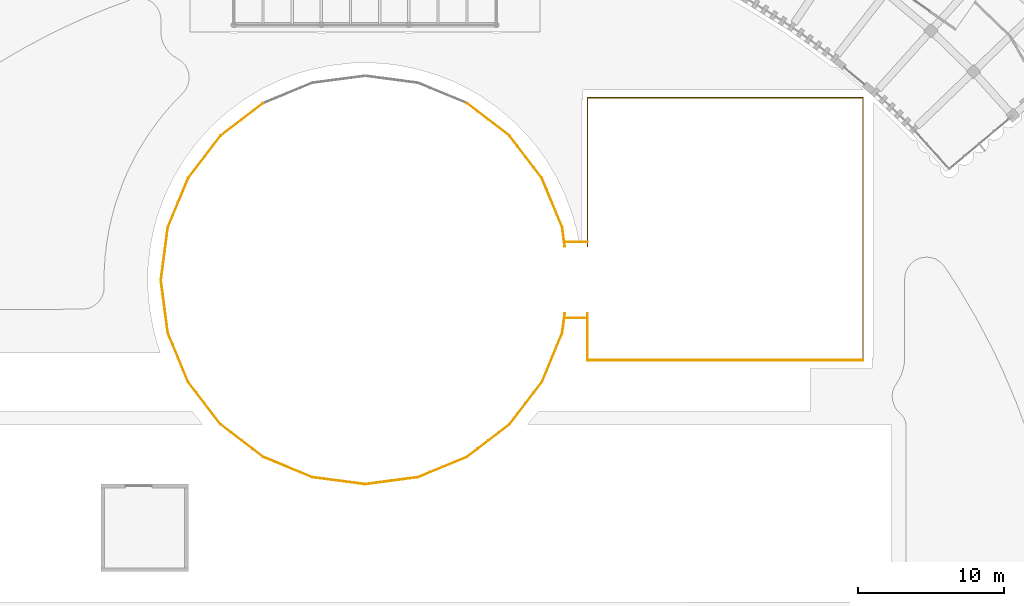
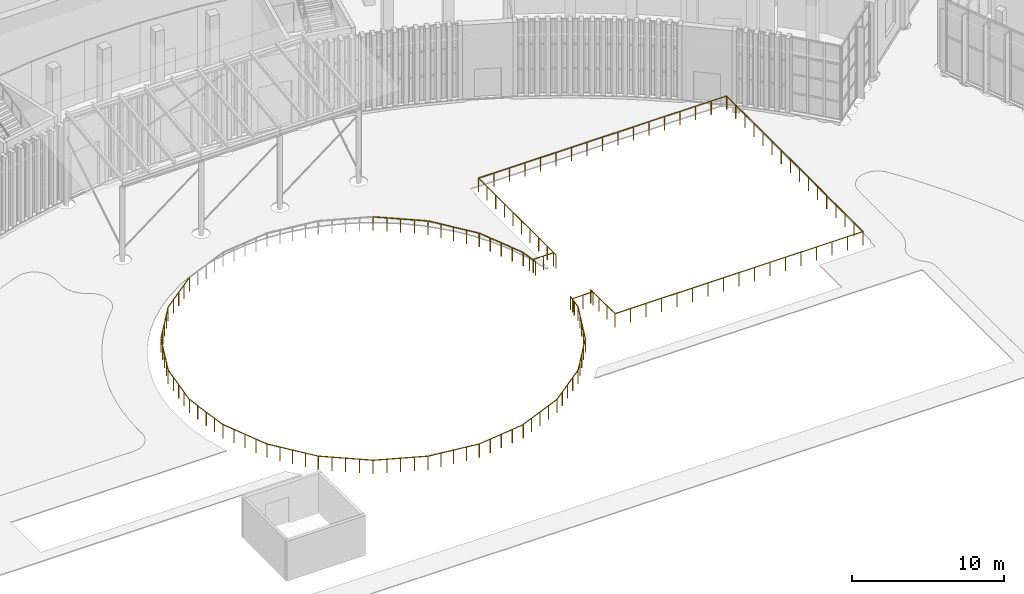
# One storey, part 121 of 155: 24 railings.
"""IFC4 building model written with IfcOpenShell, lengths in metres."""

from ifc_helpers import new_model, si_unit, direction, frame, origin, origin_2d, place, context, subcontext, project, spatial, circle, extrude, material, type_object, element, save


model = new_model("IFC4")

# Units and contexts
model_context = context("Model", 3, precision=1e-05, world=origin(), true_north=direction((0.0, 1.0)))
body_context = subcontext(model_context, "Body", "Model", "MODEL_VIEW")
ifc_project = project(units=[si_unit("LENGTHUNIT", "METRE"), si_unit("AREAUNIT", "SQUARE_METRE"), si_unit("VOLUMEUNIT", "CUBIC_METRE"), si_unit("PLANEANGLEUNIT", "RADIAN"), si_unit("MASSUNIT", "GRAM", prefix="KILO")], contexts=[model_context])

# Site, building, storey
site_placement = place(None, origin())
site = spatial("IfcSite", under=ifc_project, at=site_placement, CompositionType="ELEMENT")
building_placement = place(site_placement, origin())
building = spatial("IfcBuilding", under=site, at=building_placement, Name="Lunette Opera House", CompositionType="ELEMENT")
storey_placement = place(building_placement, origin())
storey = spatial("IfcBuildingStorey", under=building, at=storey_placement, Name="L00", CompositionType="ELEMENT", Elevation=0.0)

# Railings
ifc_material = material(Name="Stainless steel", Category="steel")
railing_type = type_object("IfcRailingType", Name="FORECOURT GUARD 1100", PredefinedType="GUARDRAIL", material=ifc_material)
railing_1_placement = place(storey_placement, frame((103.0, 38.1240234375, 0.0)))
element("IfcRailing", 1, at=railing_1_placement, inside=storey, type_object=railing_type, Name="Forecourt guard CW03", PredefinedType="GUARDRAIL", context=body_context, shape_type="SweptSolid", body=[
    extrude(circle(Radius=0.02392578125, at=origin_2d()), frame((0.0, 0.0, 1.076171875), z_axis=(0.793264300938, -0.608877449785, 0.0), x_axis=(0.608877449785, 0.793264300938, 0.0)), (0.0, 0.0, 1.0), 3.654541015625),
    extrude(circle(Radius=0.02099609375, at=origin_2d()), origin(), (0.0, 0.0, 1.0), 1.052001953125),
    extrude(circle(Radius=0.02099609375, at=origin_2d()), frame((0.724609375, -0.55615234375, 0.0)), (0.0, 0.0, 1.0), 1.052001953125),
    extrude(circle(Radius=0.02099609375, at=origin_2d()), frame((1.449462890625, -1.112548828125, 0.0)), (0.0, 0.0, 1.0), 1.052001953125),
    extrude(circle(Radius=0.02099609375, at=origin_2d()), frame((2.17431640625, -1.6689453125, 0.0)), (0.0, 0.0, 1.0), 1.052001953125),
    extrude(circle(Radius=0.02099609375, at=origin_2d()), frame((2.89892578125, -2.22509765625, 0.0)), (0.0, 0.0, 1.0), 1.052001953125),
])
railing_2_placement = place(storey_placement, frame((105.89892578125, 35.89892578125, 0.0)))
element("IfcRailing", 2, at=railing_2_placement, inside=storey, type_object=railing_type, Name="Forecourt guard CW04", PredefinedType="GUARDRAIL", context=body_context, shape_type="SweptSolid", body=[
    extrude(circle(Radius=0.02392578125, at=origin_2d()), frame((0.0, 0.0, 1.076171875), z_axis=(0.608877449785, -0.793264300938, 0.0), x_axis=(0.793264300938, 0.608877449785, 0.0)), (0.0, 0.0, 1.0), 3.654541015625),
    extrude(circle(Radius=0.02099609375, at=origin_2d()), origin(), (0.0, 0.0, 1.0), 1.052001953125),
    extrude(circle(Radius=0.02099609375, at=origin_2d()), frame((0.55615234375, -0.724609375, 0.0)), (0.0, 0.0, 1.0), 1.052001953125),
    extrude(circle(Radius=0.02099609375, at=origin_2d()), frame((1.112548828125, -1.449462890625, 0.0)), (0.0, 0.0, 1.0), 1.052001953125),
    extrude(circle(Radius=0.02099609375, at=origin_2d()), frame((1.6689453125, -2.17431640625, 0.0)), (0.0, 0.0, 1.0), 1.052001953125),
    extrude(circle(Radius=0.02099609375, at=origin_2d()), frame((2.22509765625, -2.89892578125, 0.0)), (0.0, 0.0, 1.0), 1.052001953125),
])
railing_3_placement = place(storey_placement, frame((108.1240234375, 33.0, 0.0)))
element("IfcRailing", 3, at=railing_3_placement, inside=storey, type_object=railing_type, Name="Forecourt guard CW05", PredefinedType="GUARDRAIL", context=body_context, shape_type="SweptSolid", body=[
    extrude(circle(Radius=0.02392578125, at=origin_2d()), frame((0.0, 0.0, 1.076171875), z_axis=(0.382717524649, -0.923865410288, 0.0), x_axis=(0.923865410288, 0.382717524649, 0.0)), (0.0, 0.0, 1.0), 3.6552734375),
    extrude(circle(Radius=0.02099609375, at=origin_2d()), origin(), (0.0, 0.0, 1.0), 1.052001953125),
    extrude(circle(Radius=0.02099609375, at=origin_2d()), frame((0.349609375, -0.84423828125, 0.0)), (0.0, 0.0, 1.0), 1.052001953125),
    extrude(circle(Radius=0.02099609375, at=origin_2d()), frame((0.699462890625, -1.6884765625, 0.0)), (0.0, 0.0, 1.0), 1.052001953125),
    extrude(circle(Radius=0.02099609375, at=origin_2d()), frame((1.04931640625, -2.53271484375, 0.0)), (0.0, 0.0, 1.0), 1.052001953125),
    extrude(circle(Radius=0.02099609375, at=origin_2d()), frame((1.39892578125, -3.376953125, 0.0)), (0.0, 0.0, 1.0), 1.052001953125),
])
railing_4_placement = place(storey_placement, frame((109.52294921875, 29.623046875, 0.0)))
element("IfcRailing", 4, at=railing_4_placement, inside=storey, type_object=railing_type, Name="Forecourt guard CW06", PredefinedType="GUARDRAIL", context=body_context, shape_type="SweptSolid", body=[
    extrude(circle(Radius=0.02392578125, at=origin_2d()), frame((0.0, 0.0, 1.076171875), z_axis=(0.130449779797, -0.991454918264, 0.0), x_axis=(0.991454918264, 0.130449779797, 0.0)), (0.0, 0.0, 1.0), 1.33447265625),
    extrude(circle(Radius=0.02099609375, at=origin_2d()), origin(), (0.0, 0.0, 1.0), 1.052001953125),
    extrude(circle(Radius=0.02099609375, at=origin_2d()), frame((0.0869140625, -0.66162109375, 0.0)), (0.0, 0.0, 1.0), 1.052001953125),
    extrude(circle(Radius=0.02099609375, at=origin_2d()), frame((0.174072265625, -1.322998046875, 0.0)), (0.0, 0.0, 1.0), 1.052001953125),
])
railing_5_placement = place(storey_placement, frame((109.697021484375, 23.699951171875, 0.0)))
element("IfcRailing", 5, at=railing_5_placement, inside=storey, type_object=railing_type, Name="Forecourt guard CW07", PredefinedType="GUARDRAIL", context=body_context, shape_type="SweptSolid", body=[
    extrude(circle(Radius=0.02392578125, at=origin_2d()), frame((0.0, 0.0, 1.076171875), z_axis=(-0.130449779797, -0.991454918264, 0.0), x_axis=(0.991454918264, -0.130449779797, 0.0)), (0.0, 0.0, 1.0), 1.33447265625),
    extrude(circle(Radius=0.02099609375, at=origin_2d()), origin(), (0.0, 0.0, 1.0), 1.052001953125),
    extrude(circle(Radius=0.02099609375, at=origin_2d()), frame((-0.0869140625, -0.66162109375, 0.0)), (0.0, 0.0, 1.0), 1.052001953125),
    extrude(circle(Radius=0.02099609375, at=origin_2d()), frame((-0.174072265625, -1.322998046875, 0.0)), (0.0, 0.0, 1.0), 1.052001953125),
])
railing_6_placement = place(storey_placement, frame((109.52294921875, 22.376953125, 0.0)))
element("IfcRailing", 6, at=railing_6_placement, inside=storey, type_object=railing_type, Name="Forecourt guard CW08", PredefinedType="GUARDRAIL", context=body_context, shape_type="SweptSolid", body=[
    extrude(circle(Radius=0.02392578125, at=origin_2d()), frame((0.0, 0.0, 1.076171875), z_axis=(-0.382717524649, -0.923865410288, 0.0), x_axis=(0.923865410288, -0.382717524649, 0.0)), (0.0, 0.0, 1.0), 3.6552734375),
    extrude(circle(Radius=0.02099609375, at=origin_2d()), origin(), (0.0, 0.0, 1.0), 1.052001953125),
    extrude(circle(Radius=0.02099609375, at=origin_2d()), frame((-0.349609375, -0.84423828125, 0.0)), (0.0, 0.0, 1.0), 1.052001953125),
    extrude(circle(Radius=0.02099609375, at=origin_2d()), frame((-0.699462890625, -1.6884765625, 0.0)), (0.0, 0.0, 1.0), 1.052001953125),
    extrude(circle(Radius=0.02099609375, at=origin_2d()), frame((-1.04931640625, -2.53271484375, 0.0)), (0.0, 0.0, 1.0), 1.052001953125),
    extrude(circle(Radius=0.02099609375, at=origin_2d()), frame((-1.39892578125, -3.376953125, 0.0)), (0.0, 0.0, 1.0), 1.052001953125),
])
railing_7_placement = place(storey_placement, frame((108.1240234375, 19.0, 0.0)))
element("IfcRailing", 7, at=railing_7_placement, inside=storey, type_object=railing_type, Name="Forecourt guard CW09", PredefinedType="GUARDRAIL", context=body_context, shape_type="SweptSolid", body=[
    extrude(circle(Radius=0.02392578125, at=origin_2d()), frame((0.0, 0.0, 1.076171875), z_axis=(-0.608877449785, -0.793264300938, 0.0), x_axis=(0.793264300938, -0.608877449785, 0.0)), (0.0, 0.0, 1.0), 3.654541015625),
    extrude(circle(Radius=0.02099609375, at=origin_2d()), origin(), (0.0, 0.0, 1.0), 1.052001953125),
    extrude(circle(Radius=0.02099609375, at=origin_2d()), frame((-0.55615234375, -0.724609375, 0.0)), (0.0, 0.0, 1.0), 1.052001953125),
    extrude(circle(Radius=0.02099609375, at=origin_2d()), frame((-1.112548828125, -1.449462890625, 0.0)), (0.0, 0.0, 1.0), 1.052001953125),
    extrude(circle(Radius=0.02099609375, at=origin_2d()), frame((-1.6689453125, -2.17431640625, 0.0)), (0.0, 0.0, 1.0), 1.052001953125),
    extrude(circle(Radius=0.02099609375, at=origin_2d()), frame((-2.22509765625, -2.89892578125, 0.0)), (0.0, 0.0, 1.0), 1.052001953125),
])
railing_8_placement = place(storey_placement, frame((105.89892578125, 16.10107421875, 0.0)))
element("IfcRailing", 8, at=railing_8_placement, inside=storey, type_object=railing_type, Name="Forecourt guard CW10", PredefinedType="GUARDRAIL", context=body_context, shape_type="SweptSolid", body=[
    extrude(circle(Radius=0.02392578125, at=origin_2d()), frame((0.0, 0.0, 1.076171875), z_axis=(-0.793264300938, -0.608877449785, 0.0), x_axis=(0.608877449785, -0.793264300938, 0.0)), (0.0, 0.0, 1.0), 3.654541015625),
    extrude(circle(Radius=0.02099609375, at=origin_2d()), origin(), (0.0, 0.0, 1.0), 1.052001953125),
    extrude(circle(Radius=0.02099609375, at=origin_2d()), frame((-0.724609375, -0.55615234375, 0.0)), (0.0, 0.0, 1.0), 1.052001953125),
    extrude(circle(Radius=0.02099609375, at=origin_2d()), frame((-1.449462890625, -1.112548828125, 0.0)), (0.0, 0.0, 1.0), 1.052001953125),
    extrude(circle(Radius=0.02099609375, at=origin_2d()), frame((-2.17431640625, -1.6689453125, 0.0)), (0.0, 0.0, 1.0), 1.052001953125),
    extrude(circle(Radius=0.02099609375, at=origin_2d()), frame((-2.89892578125, -2.22509765625, 0.0)), (0.0, 0.0, 1.0), 1.052001953125),
])
railing_9_placement = place(storey_placement, frame((103.0, 13.8759765625, 0.0)))
element("IfcRailing", 9, at=railing_9_placement, inside=storey, type_object=railing_type, Name="Forecourt guard CW11", PredefinedType="GUARDRAIL", context=body_context, shape_type="SweptSolid", body=[
    extrude(circle(Radius=0.02392578125, at=origin_2d()), frame((0.0, 0.0, 1.076171875), z_axis=(-0.923865410288, -0.382717524649, 0.0), x_axis=(0.382717524649, -0.923865410288, 0.0)), (0.0, 0.0, 1.0), 3.6552734375),
    extrude(circle(Radius=0.02099609375, at=origin_2d()), origin(), (0.0, 0.0, 1.0), 1.052001953125),
    extrude(circle(Radius=0.02099609375, at=origin_2d()), frame((-0.84423828125, -0.349609375, 0.0)), (0.0, 0.0, 1.0), 1.052001953125),
    extrude(circle(Radius=0.02099609375, at=origin_2d()), frame((-1.6884765625, -0.699462890625, 0.0)), (0.0, 0.0, 1.0), 1.052001953125),
    extrude(circle(Radius=0.02099609375, at=origin_2d()), frame((-2.53271484375, -1.04931640625, 0.0)), (0.0, 0.0, 1.0), 1.052001953125),
    extrude(circle(Radius=0.02099609375, at=origin_2d()), frame((-3.376953125, -1.39892578125, 0.0)), (0.0, 0.0, 1.0), 1.052001953125),
])
railing_10_placement = place(storey_placement, frame((99.623046875, 12.47705078125, 0.0)))
element("IfcRailing", 10, at=railing_10_placement, inside=storey, type_object=railing_type, Name="Forecourt guard CW12", PredefinedType="GUARDRAIL", context=body_context, shape_type="SweptSolid", body=[
    extrude(circle(Radius=0.02392578125, at=origin_2d()), frame((0.0, 0.0, 1.076171875), z_axis=(-0.991442466905, -0.130544378729, 0.0), x_axis=(0.130544378729, -0.991442466905, 0.0)), (0.0, 0.0, 1.0), 3.654296875),
    extrude(circle(Radius=0.02099609375, at=origin_2d()), origin(), (0.0, 0.0, 1.0), 1.052001953125),
    extrude(circle(Radius=0.02099609375, at=origin_2d()), frame((-0.90576171875, -0.119140625, 0.0)), (0.0, 0.0, 1.0), 1.052001953125),
    extrude(circle(Radius=0.02099609375, at=origin_2d()), frame((-1.8115234375, -0.238525390625, 0.0)), (0.0, 0.0, 1.0), 1.052001953125),
    extrude(circle(Radius=0.02099609375, at=origin_2d()), frame((-2.71728515625, -0.35791015625, 0.0)), (0.0, 0.0, 1.0), 1.052001953125),
    extrude(circle(Radius=0.02099609375, at=origin_2d()), frame((-3.623046875, -0.47705078125, 0.0)), (0.0, 0.0, 1.0), 1.052001953125),
])
railing_11_placement = place(storey_placement, frame((96.0, 12.0, 0.0)))
element("IfcRailing", 11, at=railing_11_placement, inside=storey, type_object=railing_type, Name="Forecourt guard CW13", PredefinedType="GUARDRAIL", context=body_context, shape_type="SweptSolid", body=[
    extrude(circle(Radius=0.02392578125, at=origin_2d()), frame((0.0, 0.0, 1.076171875), z_axis=(-0.991442466905, 0.130544378729, 0.0), x_axis=(-0.130544378729, -0.991442466905, 0.0)), (0.0, 0.0, 1.0), 3.654296875),
    extrude(circle(Radius=0.02099609375, at=origin_2d()), origin(), (0.0, 0.0, 1.0), 1.052001953125),
    extrude(circle(Radius=0.02099609375, at=origin_2d()), frame((-0.90576171875, 0.119140625, 0.0)), (0.0, 0.0, 1.0), 1.052001953125),
    extrude(circle(Radius=0.02099609375, at=origin_2d()), frame((-1.8115234375, 0.238525390625, 0.0)), (0.0, 0.0, 1.0), 1.052001953125),
    extrude(circle(Radius=0.02099609375, at=origin_2d()), frame((-2.71728515625, 0.35791015625, 0.0)), (0.0, 0.0, 1.0), 1.052001953125),
    extrude(circle(Radius=0.02099609375, at=origin_2d()), frame((-3.623046875, 0.47705078125, 0.0)), (0.0, 0.0, 1.0), 1.052001953125),
])
railing_12_placement = place(storey_placement, frame((92.376953125, 12.47705078125, 0.0)))
element("IfcRailing", 12, at=railing_12_placement, inside=storey, type_object=railing_type, Name="Forecourt guard CW14", PredefinedType="GUARDRAIL", context=body_context, shape_type="SweptSolid", body=[
    extrude(circle(Radius=0.02392578125, at=origin_2d()), frame((0.0, 0.0, 1.076171875), z_axis=(-0.923865410288, 0.382717524649, 0.0), x_axis=(-0.382717524649, -0.923865410288, 0.0)), (0.0, 0.0, 1.0), 3.6552734375),
    extrude(circle(Radius=0.02099609375, at=origin_2d()), origin(), (0.0, 0.0, 1.0), 1.052001953125),
    extrude(circle(Radius=0.02099609375, at=origin_2d()), frame((-0.84423828125, 0.349609375, 0.0)), (0.0, 0.0, 1.0), 1.052001953125),
    extrude(circle(Radius=0.02099609375, at=origin_2d()), frame((-1.6884765625, 0.699462890625, 0.0)), (0.0, 0.0, 1.0), 1.052001953125),
    extrude(circle(Radius=0.02099609375, at=origin_2d()), frame((-2.53271484375, 1.04931640625, 0.0)), (0.0, 0.0, 1.0), 1.052001953125),
    extrude(circle(Radius=0.02099609375, at=origin_2d()), frame((-3.376953125, 1.39892578125, 0.0)), (0.0, 0.0, 1.0), 1.052001953125),
])
railing_13_placement = place(storey_placement, frame((89.0, 13.8759765625, 0.0)))
element("IfcRailing", 13, at=railing_13_placement, inside=storey, type_object=railing_type, Name="Forecourt guard CW15", PredefinedType="GUARDRAIL", context=body_context, shape_type="SweptSolid", body=[
    extrude(circle(Radius=0.02392578125, at=origin_2d()), frame((0.0, 0.0, 1.076171875), z_axis=(-0.793264300938, 0.608877449785, 0.0), x_axis=(-0.608877449785, -0.793264300938, 0.0)), (0.0, 0.0, 1.0), 3.654541015625),
    extrude(circle(Radius=0.02099609375, at=origin_2d()), origin(), (0.0, 0.0, 1.0), 1.052001953125),
    extrude(circle(Radius=0.02099609375, at=origin_2d()), frame((-0.724609375, 0.55615234375, 0.0)), (0.0, 0.0, 1.0), 1.052001953125),
    extrude(circle(Radius=0.02099609375, at=origin_2d()), frame((-1.449462890625, 1.112548828125, 0.0)), (0.0, 0.0, 1.0), 1.052001953125),
    extrude(circle(Radius=0.02099609375, at=origin_2d()), frame((-2.17431640625, 1.6689453125, 0.0)), (0.0, 0.0, 1.0), 1.052001953125),
    extrude(circle(Radius=0.02099609375, at=origin_2d()), frame((-2.89892578125, 2.22509765625, 0.0)), (0.0, 0.0, 1.0), 1.052001953125),
])
railing_14_placement = place(storey_placement, frame((86.10107421875, 16.10107421875, 0.0)))
element("IfcRailing", 14, at=railing_14_placement, inside=storey, type_object=railing_type, Name="Forecourt guard CW16", PredefinedType="GUARDRAIL", context=body_context, shape_type="SweptSolid", body=[
    extrude(circle(Radius=0.02392578125, at=origin_2d()), frame((0.0, 0.0, 1.076171875), z_axis=(-0.608877449785, 0.793264300938, 0.0), x_axis=(-0.793264300938, -0.608877449785, 0.0)), (0.0, 0.0, 1.0), 3.654541015625),
    extrude(circle(Radius=0.02099609375, at=origin_2d()), origin(), (0.0, 0.0, 1.0), 1.052001953125),
    extrude(circle(Radius=0.02099609375, at=origin_2d()), frame((-0.55615234375, 0.724609375, 0.0)), (0.0, 0.0, 1.0), 1.052001953125),
    extrude(circle(Radius=0.02099609375, at=origin_2d()), frame((-1.112548828125, 1.449462890625, 0.0)), (0.0, 0.0, 1.0), 1.052001953125),
    extrude(circle(Radius=0.02099609375, at=origin_2d()), frame((-1.6689453125, 2.17431640625, 0.0)), (0.0, 0.0, 1.0), 1.052001953125),
    extrude(circle(Radius=0.02099609375, at=origin_2d()), frame((-2.22509765625, 2.89892578125, 0.0)), (0.0, 0.0, 1.0), 1.052001953125),
])
railing_15_placement = place(storey_placement, frame((83.8759765625, 19.0, 0.0)))
element("IfcRailing", 15, at=railing_15_placement, inside=storey, type_object=railing_type, Name="Forecourt guard CW17", PredefinedType="GUARDRAIL", context=body_context, shape_type="SweptSolid", body=[
    extrude(circle(Radius=0.02392578125, at=origin_2d()), frame((0.0, 0.0, 1.076171875), z_axis=(-0.382717524649, 0.923865410288, 0.0), x_axis=(-0.923865410288, -0.382717524649, 0.0)), (0.0, 0.0, 1.0), 3.6552734375),
    extrude(circle(Radius=0.02099609375, at=origin_2d()), origin(), (0.0, 0.0, 1.0), 1.052001953125),
    extrude(circle(Radius=0.02099609375, at=origin_2d()), frame((-0.349609375, 0.84423828125, 0.0)), (0.0, 0.0, 1.0), 1.052001953125),
    extrude(circle(Radius=0.02099609375, at=origin_2d()), frame((-0.699462890625, 1.6884765625, 0.0)), (0.0, 0.0, 1.0), 1.052001953125),
    extrude(circle(Radius=0.02099609375, at=origin_2d()), frame((-1.04931640625, 2.53271484375, 0.0)), (0.0, 0.0, 1.0), 1.052001953125),
    extrude(circle(Radius=0.02099609375, at=origin_2d()), frame((-1.39892578125, 3.376953125, 0.0)), (0.0, 0.0, 1.0), 1.052001953125),
])
railing_16_placement = place(storey_placement, frame((82.47705078125, 22.376953125, 0.0)))
element("IfcRailing", 16, at=railing_16_placement, inside=storey, type_object=railing_type, Name="Forecourt guard CW18", PredefinedType="GUARDRAIL", context=body_context, shape_type="SweptSolid", body=[
    extrude(circle(Radius=0.02392578125, at=origin_2d()), frame((0.0, 0.0, 1.076171875), z_axis=(-0.130544378729, 0.991442466905, 0.0), x_axis=(-0.991442466905, -0.130544378729, 0.0)), (0.0, 0.0, 1.0), 3.654296875),
    extrude(circle(Radius=0.02099609375, at=origin_2d()), origin(), (0.0, 0.0, 1.0), 1.052001953125),
    extrude(circle(Radius=0.02099609375, at=origin_2d()), frame((-0.119140625, 0.90576171875, 0.0)), (0.0, 0.0, 1.0), 1.052001953125),
    extrude(circle(Radius=0.02099609375, at=origin_2d()), frame((-0.238525390625, 1.8115234375, 0.0)), (0.0, 0.0, 1.0), 1.052001953125),
    extrude(circle(Radius=0.02099609375, at=origin_2d()), frame((-0.35791015625, 2.71728515625, 0.0)), (0.0, 0.0, 1.0), 1.052001953125),
    extrude(circle(Radius=0.02099609375, at=origin_2d()), frame((-0.47705078125, 3.623046875, 0.0)), (0.0, 0.0, 1.0), 1.052001953125),
])
railing_17_placement = place(storey_placement, frame((82.0, 26.0, 0.0)))
element("IfcRailing", 17, at=railing_17_placement, inside=storey, type_object=railing_type, Name="Forecourt guard CW19", PredefinedType="GUARDRAIL", context=body_context, shape_type="SweptSolid", body=[
    extrude(circle(Radius=0.02392578125, at=origin_2d()), frame((0.0, 0.0, 1.076171875), z_axis=(0.130544378729, 0.991442466905, 0.0), x_axis=(-0.991442466905, 0.130544378729, 0.0)), (0.0, 0.0, 1.0), 3.654296875),
    extrude(circle(Radius=0.02099609375, at=origin_2d()), origin(), (0.0, 0.0, 1.0), 1.052001953125),
    extrude(circle(Radius=0.02099609375, at=origin_2d()), frame((0.119140625, 0.90576171875, 0.0)), (0.0, 0.0, 1.0), 1.052001953125),
    extrude(circle(Radius=0.02099609375, at=origin_2d()), frame((0.238525390625, 1.8115234375, 0.0)), (0.0, 0.0, 1.0), 1.052001953125),
    extrude(circle(Radius=0.02099609375, at=origin_2d()), frame((0.35791015625, 2.71728515625, 0.0)), (0.0, 0.0, 1.0), 1.052001953125),
    extrude(circle(Radius=0.02099609375, at=origin_2d()), frame((0.47705078125, 3.623046875, 0.0)), (0.0, 0.0, 1.0), 1.052001953125),
])
railing_18_placement = place(storey_placement, frame((82.47705078125, 29.623046875, 0.0)))
element("IfcRailing", 18, at=railing_18_placement, inside=storey, type_object=railing_type, Name="Forecourt guard CW20", PredefinedType="GUARDRAIL", context=body_context, shape_type="SweptSolid", body=[
    extrude(circle(Radius=0.02392578125, at=origin_2d()), frame((0.0, 0.0, 1.076171875), z_axis=(0.382717524649, 0.923865410288, 0.0), x_axis=(-0.923865410288, 0.382717524649, 0.0)), (0.0, 0.0, 1.0), 3.6552734375),
    extrude(circle(Radius=0.02099609375, at=origin_2d()), origin(), (0.0, 0.0, 1.0), 1.052001953125),
    extrude(circle(Radius=0.02099609375, at=origin_2d()), frame((0.349609375, 0.84423828125, 0.0)), (0.0, 0.0, 1.0), 1.052001953125),
    extrude(circle(Radius=0.02099609375, at=origin_2d()), frame((0.699462890625, 1.6884765625, 0.0)), (0.0, 0.0, 1.0), 1.052001953125),
    extrude(circle(Radius=0.02099609375, at=origin_2d()), frame((1.04931640625, 2.53271484375, 0.0)), (0.0, 0.0, 1.0), 1.052001953125),
    extrude(circle(Radius=0.02099609375, at=origin_2d()), frame((1.39892578125, 3.376953125, 0.0)), (0.0, 0.0, 1.0), 1.052001953125),
])
railing_19_placement = place(storey_placement, frame((83.8759765625, 33.0, 0.0)))
element("IfcRailing", 19, at=railing_19_placement, inside=storey, type_object=railing_type, Name="Forecourt guard CW21", PredefinedType="GUARDRAIL", context=body_context, shape_type="SweptSolid", body=[
    extrude(circle(Radius=0.02392578125, at=origin_2d()), frame((0.0, 0.0, 1.076171875), z_axis=(0.608877449785, 0.793264300938, 0.0), x_axis=(-0.793264300938, 0.608877449785, 0.0)), (0.0, 0.0, 1.0), 3.654541015625),
    extrude(circle(Radius=0.02099609375, at=origin_2d()), origin(), (0.0, 0.0, 1.0), 1.052001953125),
    extrude(circle(Radius=0.02099609375, at=origin_2d()), frame((0.55615234375, 0.724609375, 0.0)), (0.0, 0.0, 1.0), 1.052001953125),
    extrude(circle(Radius=0.02099609375, at=origin_2d()), frame((1.112548828125, 1.449462890625, 0.0)), (0.0, 0.0, 1.0), 1.052001953125),
    extrude(circle(Radius=0.02099609375, at=origin_2d()), frame((1.6689453125, 2.17431640625, 0.0)), (0.0, 0.0, 1.0), 1.052001953125),
    extrude(circle(Radius=0.02099609375, at=origin_2d()), frame((2.22509765625, 2.89892578125, 0.0)), (0.0, 0.0, 1.0), 1.052001953125),
])
railing_20_placement = place(storey_placement, frame((86.10107421875, 35.89892578125, 0.0)))
element("IfcRailing", 20, at=railing_20_placement, inside=storey, type_object=railing_type, Name="Forecourt guard CW22", PredefinedType="GUARDRAIL", context=body_context, shape_type="SweptSolid", body=[
    extrude(circle(Radius=0.02392578125, at=origin_2d()), frame((0.0, 0.0, 1.076171875), z_axis=(0.793264300938, 0.608877449785, 0.0), x_axis=(-0.608877449785, 0.793264300938, 0.0)), (0.0, 0.0, 1.0), 3.654541015625),
    extrude(circle(Radius=0.02099609375, at=origin_2d()), origin(), (0.0, 0.0, 1.0), 1.052001953125),
    extrude(circle(Radius=0.02099609375, at=origin_2d()), frame((0.724609375, 0.55615234375, 0.0)), (0.0, 0.0, 1.0), 1.052001953125),
    extrude(circle(Radius=0.02099609375, at=origin_2d()), frame((1.449462890625, 1.112548828125, 0.0)), (0.0, 0.0, 1.0), 1.052001953125),
    extrude(circle(Radius=0.02099609375, at=origin_2d()), frame((2.17431640625, 1.6689453125, 0.0)), (0.0, 0.0, 1.0), 1.052001953125),
    extrude(circle(Radius=0.02099609375, at=origin_2d()), frame((2.89892578125, 2.22509765625, 0.0)), (0.0, 0.0, 1.0), 1.052001953125),
])
railing_21_placement = place(storey_placement, frame((130.14990234375, 20.5, 0.0)))
element("IfcRailing", 21, at=railing_21_placement, inside=storey, type_object=railing_type, Name="Ramp pit guard 1", PredefinedType="GUARDRAIL", context=body_context, shape_type="SweptSolid", body=[
    extrude(circle(Radius=0.02392578125, at=origin_2d()), frame((0.0, 0.0, 1.076171875), z_axis=(0.0, 1.0, 0.0), x_axis=(-1.0, 0.0, 0.0)), (0.0, 0.0, 1.0), 18.0),
    extrude(circle(Radius=0.02392578125, at=origin_2d()), frame((0.0, 18.0, 1.076171875), z_axis=(-1.0, 0.0, 0.0), x_axis=(0.0, -1.0, 0.0)), (0.0, 0.0, 1.0), 18.89990234375),
    extrude(circle(Radius=0.02392578125, at=origin_2d()), frame((-18.89990234375, 18.0, 1.076171875), z_axis=(0.0, -1.0, 0.0), x_axis=(1.0, 0.0, 0.0)), (0.0, 0.0, 1.0), 10.199951171875),
    extrude(circle(Radius=0.02099609375, at=origin_2d()), origin(), (0.0, 0.0, 1.0), 1.052001953125),
    extrude(circle(Radius=0.02099609375, at=origin_2d()), frame((0.0, 1.199951171875, 0.0)), (0.0, 0.0, 1.0), 1.052001953125),
    extrude(circle(Radius=0.02099609375, at=origin_2d()), frame((0.0, 2.39990234375, 0.0)), (0.0, 0.0, 1.0), 1.052001953125),
    extrude(circle(Radius=0.02099609375, at=origin_2d()), frame((0.0, 3.60009765625, 0.0)), (0.0, 0.0, 1.0), 1.052001953125),
    extrude(circle(Radius=0.02099609375, at=origin_2d()), frame((0.0, 4.800048828125, 0.0)), (0.0, 0.0, 1.0), 1.052001953125),
    extrude(circle(Radius=0.02099609375, at=origin_2d()), frame((0.0, 6.0, 0.0)), (0.0, 0.0, 1.0), 1.052001953125),
    extrude(circle(Radius=0.02099609375, at=origin_2d()), frame((0.0, 7.199951171875, 0.0)), (0.0, 0.0, 1.0), 1.052001953125),
    extrude(circle(Radius=0.02099609375, at=origin_2d()), frame((0.0, 8.39990234375, 0.0)), (0.0, 0.0, 1.0), 1.052001953125),
    extrude(circle(Radius=0.02099609375, at=origin_2d()), frame((0.0, 9.60009765625, 0.0)), (0.0, 0.0, 1.0), 1.052001953125),
    extrude(circle(Radius=0.02099609375, at=origin_2d()), frame((0.0, 10.800048828125, 0.0)), (0.0, 0.0, 1.0), 1.052001953125),
    extrude(circle(Radius=0.02099609375, at=origin_2d()), frame((0.0, 12.0, 0.0)), (0.0, 0.0, 1.0), 1.052001953125),
    extrude(circle(Radius=0.02099609375, at=origin_2d()), frame((0.0, 13.199951171875, 0.0)), (0.0, 0.0, 1.0), 1.052001953125),
    extrude(circle(Radius=0.02099609375, at=origin_2d()), frame((0.0, 14.39990234375, 0.0)), (0.0, 0.0, 1.0), 1.052001953125),
    extrude(circle(Radius=0.02099609375, at=origin_2d()), frame((0.0, 15.60009765625, 0.0)), (0.0, 0.0, 1.0), 1.052001953125),
    extrude(circle(Radius=0.02099609375, at=origin_2d()), frame((0.0, 16.800048828125, 0.0)), (0.0, 0.0, 1.0), 1.052001953125),
    extrude(circle(Radius=0.02099609375, at=origin_2d()), frame((0.0, 18.0, 0.0)), (0.0, 0.0, 1.0), 1.052001953125),
    extrude(circle(Radius=0.02099609375, at=origin_2d()), frame((-1.18115234375, 18.0, 0.0)), (0.0, 0.0, 1.0), 1.052001953125),
    extrude(circle(Radius=0.02099609375, at=origin_2d()), frame((-2.362548828125, 18.0, 0.0)), (0.0, 0.0, 1.0), 1.052001953125),
    extrude(circle(Radius=0.02099609375, at=origin_2d()), frame((-3.543701171875, 18.0, 0.0)), (0.0, 0.0, 1.0), 1.052001953125),
    extrude(circle(Radius=0.02099609375, at=origin_2d()), frame((-4.72509765625, 18.0, 0.0)), (0.0, 0.0, 1.0), 1.052001953125),
    extrude(circle(Radius=0.02099609375, at=origin_2d()), frame((-5.90625, 18.0, 0.0)), (0.0, 0.0, 1.0), 1.052001953125),
    extrude(circle(Radius=0.02099609375, at=origin_2d()), frame((-7.08740234375, 18.0, 0.0)), (0.0, 0.0, 1.0), 1.052001953125),
    extrude(circle(Radius=0.02099609375, at=origin_2d()), frame((-8.268798828125, 18.0, 0.0)), (0.0, 0.0, 1.0), 1.052001953125),
    extrude(circle(Radius=0.02099609375, at=origin_2d()), frame((-9.449951171875, 18.0, 0.0)), (0.0, 0.0, 1.0), 1.052001953125),
    extrude(circle(Radius=0.02099609375, at=origin_2d()), frame((-10.631103515625, 18.0, 0.0)), (0.0, 0.0, 1.0), 1.052001953125),
    extrude(circle(Radius=0.02099609375, at=origin_2d()), frame((-11.8125, 18.0, 0.0)), (0.0, 0.0, 1.0), 1.052001953125),
    extrude(circle(Radius=0.02099609375, at=origin_2d()), frame((-12.99365234375, 18.0, 0.0)), (0.0, 0.0, 1.0), 1.052001953125),
    extrude(circle(Radius=0.02099609375, at=origin_2d()), frame((-14.1748046875, 18.0, 0.0)), (0.0, 0.0, 1.0), 1.052001953125),
    extrude(circle(Radius=0.02099609375, at=origin_2d()), frame((-15.356201171875, 18.0, 0.0)), (0.0, 0.0, 1.0), 1.052001953125),
    extrude(circle(Radius=0.02099609375, at=origin_2d()), frame((-16.537353515625, 18.0, 0.0)), (0.0, 0.0, 1.0), 1.052001953125),
    extrude(circle(Radius=0.02099609375, at=origin_2d()), frame((-17.71875, 18.0, 0.0)), (0.0, 0.0, 1.0), 1.052001953125),
    extrude(circle(Radius=0.02099609375, at=origin_2d()), frame((-18.89990234375, 18.0, 0.0)), (0.0, 0.0, 1.0), 1.052001953125),
    extrude(circle(Radius=0.02099609375, at=origin_2d()), frame((-18.89990234375, 16.86669921875, 0.0)), (0.0, 0.0, 1.0), 1.052001953125),
    extrude(circle(Radius=0.02099609375, at=origin_2d()), frame((-18.89990234375, 15.7333984375, 0.0)), (0.0, 0.0, 1.0), 1.052001953125),
    extrude(circle(Radius=0.02099609375, at=origin_2d()), frame((-18.89990234375, 14.60009765625, 0.0)), (0.0, 0.0, 1.0), 1.052001953125),
    extrude(circle(Radius=0.02099609375, at=origin_2d()), frame((-18.89990234375, 13.466796875, 0.0)), (0.0, 0.0, 1.0), 1.052001953125),
    extrude(circle(Radius=0.02099609375, at=origin_2d()), frame((-18.89990234375, 12.333251953125, 0.0)), (0.0, 0.0, 1.0), 1.052001953125),
    extrude(circle(Radius=0.02099609375, at=origin_2d()), frame((-18.89990234375, 11.199951171875, 0.0)), (0.0, 0.0, 1.0), 1.052001953125),
    extrude(circle(Radius=0.02099609375, at=origin_2d()), frame((-18.89990234375, 10.066650390625, 0.0)), (0.0, 0.0, 1.0), 1.052001953125),
    extrude(circle(Radius=0.02099609375, at=origin_2d()), frame((-18.89990234375, 8.933349609375, 0.0)), (0.0, 0.0, 1.0), 1.052001953125),
    extrude(circle(Radius=0.02099609375, at=origin_2d()), frame((-18.89990234375, 7.800048828125, 0.0)), (0.0, 0.0, 1.0), 1.052001953125),
])
railing_22_placement = place(storey_placement, frame((111.25, 23.699951171875, 0.0)))
element("IfcRailing", 22, at=railing_22_placement, inside=storey, type_object=railing_type, Name="Ramp pit guard 2", PredefinedType="GUARDRAIL", context=body_context, shape_type="SweptSolid", body=[
    extrude(circle(Radius=0.02392578125, at=origin_2d()), frame((0.0, 0.0, 1.076171875), z_axis=(0.0, -1.0, 0.0), x_axis=(1.0, 0.0, 0.0)), (0.0, 0.0, 1.0), 3.199951171875),
    extrude(circle(Radius=0.02392578125, at=origin_2d()), frame((0.0, -3.199951171875, 1.076171875), z_axis=(1.0, 0.0, 0.0), x_axis=(0.0, 1.0, 0.0)), (0.0, 0.0, 1.0), 18.89990234375),
    extrude(circle(Radius=0.02099609375, at=origin_2d()), origin(), (0.0, 0.0, 1.0), 1.052001953125),
    extrude(circle(Radius=0.02099609375, at=origin_2d()), frame((0.0, -1.066650390625, 0.0)), (0.0, 0.0, 1.0), 1.052001953125),
    extrude(circle(Radius=0.02099609375, at=origin_2d()), frame((0.0, -2.13330078125, 0.0)), (0.0, 0.0, 1.0), 1.052001953125),
    extrude(circle(Radius=0.02099609375, at=origin_2d()), frame((0.0, -3.199951171875, 0.0)), (0.0, 0.0, 1.0), 1.052001953125),
    extrude(circle(Radius=0.02099609375, at=origin_2d()), frame((1.18115234375, -3.199951171875, 0.0)), (0.0, 0.0, 1.0), 1.052001953125),
    extrude(circle(Radius=0.02099609375, at=origin_2d()), frame((2.362548828125, -3.199951171875, 0.0)), (0.0, 0.0, 1.0), 1.052001953125),
    extrude(circle(Radius=0.02099609375, at=origin_2d()), frame((3.543701171875, -3.199951171875, 0.0)), (0.0, 0.0, 1.0), 1.052001953125),
    extrude(circle(Radius=0.02099609375, at=origin_2d()), frame((4.72509765625, -3.199951171875, 0.0)), (0.0, 0.0, 1.0), 1.052001953125),
    extrude(circle(Radius=0.02099609375, at=origin_2d()), frame((5.90625, -3.199951171875, 0.0)), (0.0, 0.0, 1.0), 1.052001953125),
    extrude(circle(Radius=0.02099609375, at=origin_2d()), frame((7.08740234375, -3.199951171875, 0.0)), (0.0, 0.0, 1.0), 1.052001953125),
    extrude(circle(Radius=0.02099609375, at=origin_2d()), frame((8.268798828125, -3.199951171875, 0.0)), (0.0, 0.0, 1.0), 1.052001953125),
    extrude(circle(Radius=0.02099609375, at=origin_2d()), frame((9.449951171875, -3.199951171875, 0.0)), (0.0, 0.0, 1.0), 1.052001953125),
    extrude(circle(Radius=0.02099609375, at=origin_2d()), frame((10.631103515625, -3.199951171875, 0.0)), (0.0, 0.0, 1.0), 1.052001953125),
    extrude(circle(Radius=0.02099609375, at=origin_2d()), frame((11.8125, -3.199951171875, 0.0)), (0.0, 0.0, 1.0), 1.052001953125),
    extrude(circle(Radius=0.02099609375, at=origin_2d()), frame((12.99365234375, -3.199951171875, 0.0)), (0.0, 0.0, 1.0), 1.052001953125),
    extrude(circle(Radius=0.02099609375, at=origin_2d()), frame((14.1748046875, -3.199951171875, 0.0)), (0.0, 0.0, 1.0), 1.052001953125),
    extrude(circle(Radius=0.02099609375, at=origin_2d()), frame((15.356201171875, -3.199951171875, 0.0)), (0.0, 0.0, 1.0), 1.052001953125),
    extrude(circle(Radius=0.02099609375, at=origin_2d()), frame((16.537353515625, -3.199951171875, 0.0)), (0.0, 0.0, 1.0), 1.052001953125),
    extrude(circle(Radius=0.02099609375, at=origin_2d()), frame((17.71875, -3.199951171875, 0.0)), (0.0, 0.0, 1.0), 1.052001953125),
    extrude(circle(Radius=0.02099609375, at=origin_2d()), frame((18.89990234375, -3.199951171875, 0.0)), (0.0, 0.0, 1.0), 1.052001953125),
])
for number, where, name in (
    (23, (109.699951171875, 23.39990234375, 0.0), "Ramp pit guard 3"),
    (24, (109.699951171875, 28.60009765625, 0.0), "Ramp pit guard 4"),
):
    element("IfcRailing", number, at=place(storey_placement, frame(where)), inside=storey, type_object=railing_type, Name=name, PredefinedType="GUARDRAIL", context=body_context, shape_type="SweptSolid", body=[
        extrude(circle(Radius=0.02392578125, at=origin_2d()), frame((0.0, 0.0, 1.076171875), z_axis=(1.0, 0.0, 0.0), x_axis=(0.0, 1.0, 0.0)), (0.0, 0.0, 1.0), 1.550048828125),
        extrude(circle(Radius=0.02099609375, at=origin_2d()), origin(), (0.0, 0.0, 1.0), 1.052001953125),
        extrude(circle(Radius=0.02099609375, at=origin_2d()), frame((0.77490234375, 0.0, 0.0)), (0.0, 0.0, 1.0), 1.052001953125),
        extrude(circle(Radius=0.02099609375, at=origin_2d()), frame((1.550048828125, 0.0, 0.0)), (0.0, 0.0, 1.0), 1.052001953125),
    ])

save(model, "model.ifc")
